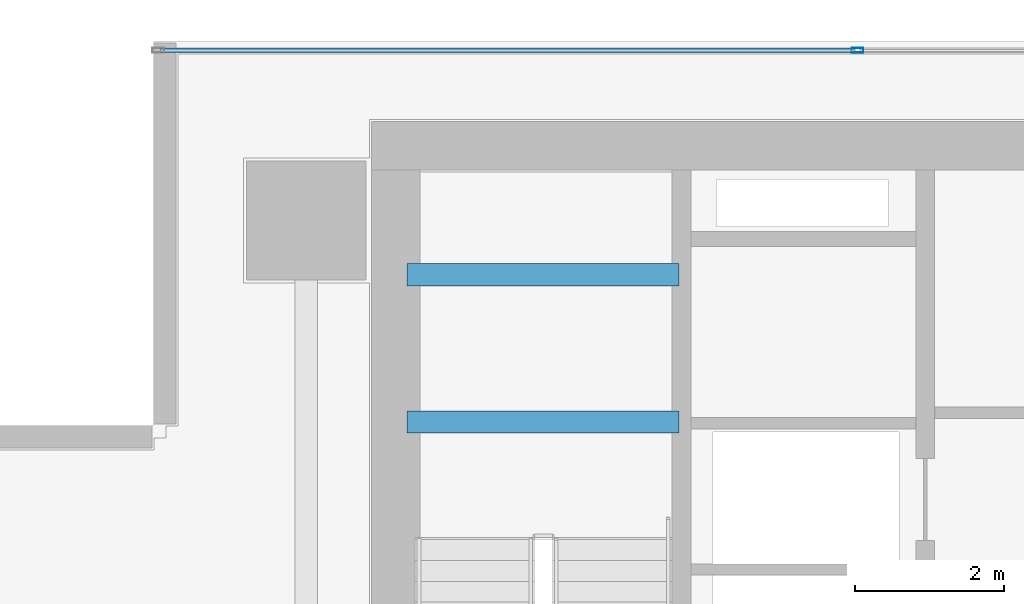
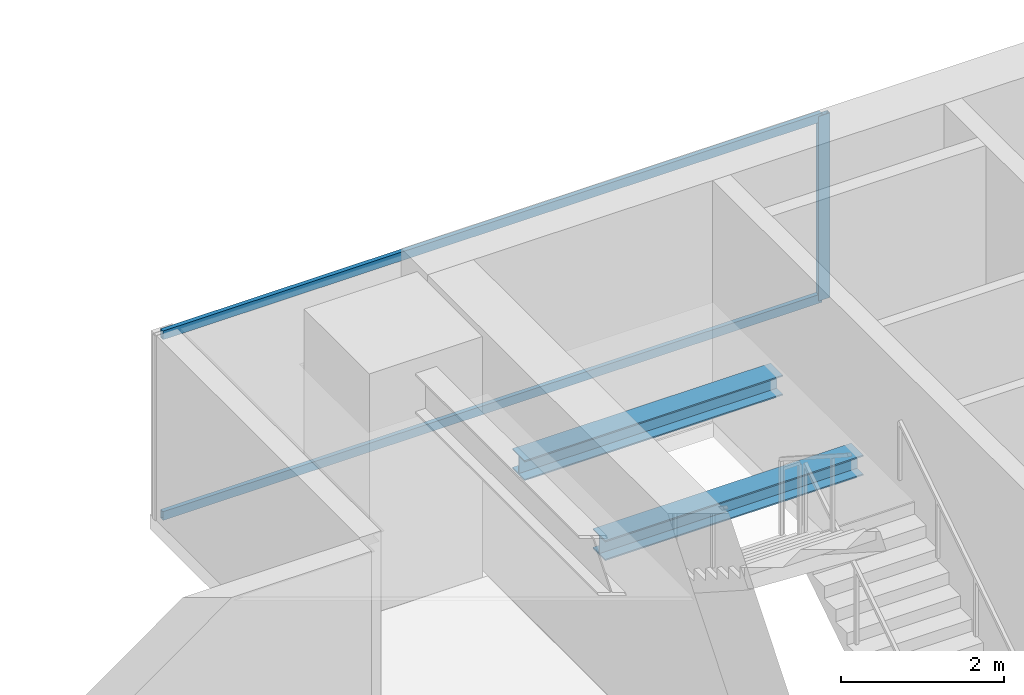
# One storey, part 15 of 28: 3 members, 2 beams, 1 element without a shape of its own.
"""IFC4 building model written with IfcOpenShell, lengths in metres."""

from ifc_helpers import new_model, si_unit, direction, frame, origin, origin_2d, place, context, subcontext, project, spatial, hollow_rectangle, i_section, extrude, source, transform, mapped, material, layer, layer_set, material_profile, profile_set, type_object, element, aggregate, save


model = new_model("IFC4")

# Units and contexts
model_context = context("Model", 3, precision=1e-05, world=origin(), true_north=direction((0.0, 1.0)))
body_context = subcontext(model_context, "Body", "Model", "MODEL_VIEW")
ifc_project = project(units=[si_unit("LENGTHUNIT", "METRE"), si_unit("AREAUNIT", "SQUARE_METRE"), si_unit("VOLUMEUNIT", "CUBIC_METRE"), si_unit("PLANEANGLEUNIT", "RADIAN"), si_unit("MASSUNIT", "GRAM", prefix="KILO")], contexts=[model_context])

# Site, building, storey
site_placement = place(None, origin())
site = spatial("IfcSite", under=ifc_project, at=site_placement, CompositionType="ELEMENT")
building_placement = place(site_placement, origin())
building = spatial("IfcBuilding", under=site, at=building_placement, Name="Sumidabori Civic Tower", CompositionType="ELEMENT")
storey_placement = place(building_placement, frame((0.0, 0.0, 149.60009765625)))
storey = spatial("IfcBuildingStorey", under=building, at=storey_placement, Name="L38", CompositionType="ELEMENT", Elevation=149.60009765625)

# Beams
ifc_material_1 = material(Name="Steel SN490", Category="steel")
ifc_material_profile_1 = material_profile(ifc_material_1, i_section(OverallWidth=0.300048828125, OverallDepth=0.300048828125, WebThickness=0.010986328125, FlangeThickness=0.01904296875, at=origin_2d()), Name="HE 300 B")
ifc_profile_set_1 = profile_set([ifc_material_profile_1], Name="Steel SN490")
beam_type = type_object("IfcBeamType", Name="BM-LDG-300", PredefinedType="BEAM", material=ifc_profile_set_1)
shared_shape_1 = source(origin(), body_context, "Body", "SweptSolid", [
    extrude(i_section(OverallWidth=0.300048828125, OverallDepth=0.300048828125, WebThickness=0.010986328125, FlangeThickness=0.01904296875, at=origin_2d()), origin(), (0.0, 0.0, 1.0), 3.64990234375),
])
for number, where, z_axis, x_axis, name in (
    (1, (-15.449951171875, 20.09765625, 1.449951171875), (1.0, 0.0, 0.0), (0.0, 1.0, 0.0), "Stair ST-1 Landing Support Beam L38-1A"),
    (2, (-15.449951171875, 22.069580078125, 1.449951171875), (1.0, 0.0, 0.0), (0.0, 1.0, 0.0), "Stair ST-1 Landing Trimmer Beam L38-1B"),
):
    element("IfcBeam", number, at=place(storey_placement, frame(where, z_axis=z_axis, x_axis=x_axis)), inside=storey, type_object=beam_type, Name=name, PredefinedType="BEAM", context=body_context, shape_type="MappedRepresentation", body=[
        mapped(shared_shape_1, transform((0.0, 0.0, 0.0), x_axis=(1.0, 0.0, 0.0), y_axis=(0.0, 1.0, 0.0), z_axis=(0.0, 0.0, 1.0), scale=1.0)),
    ])

# Curtain wall, members
ifc_material_2 = material(Name="Anodised Bronze Aluminium AW-6063-T6", Category="aluminium")
ifc_layer = layer(ifc_material_2, 0.179931640625, Name="Anodised Bronze Aluminium AW-6063-T6")
ifc_layer_set = layer_set([ifc_layer], Name="Anodised Bronze Aluminium AW-6063-T6")
curtain_wall_type = type_object("IfcCurtainWallType", Name="CW-SYS-3", PredefinedType="NOTDEFINED", material=ifc_layer_set)
curtain_wall_placement = place(storey_placement, origin())
curtain_wall = element("IfcCurtainWall", 3, at=curtain_wall_placement, inside=storey, type_object=curtain_wall_type, Name="Curtain Wall CW:L38:R07", PredefinedType="NOTDEFINED")
ifc_material_profile_2 = material_profile(ifc_material_2, hollow_rectangle(XDim=0.06494140625, YDim=0.159912109375, WallThickness=0.0048828125, at=origin_2d()), Name="ALU MULLION 160x65")
ifc_profile_set_2 = profile_set([ifc_material_profile_2], Name="Anodised Bronze Aluminium AW-6063-T6")
member_type_1 = type_object("IfcMemberType", Name="CW-MUL-160", PredefinedType="MULLION", material=ifc_profile_set_2)
shared_shape_2 = source(origin(), body_context, "Body", "SweptSolid", [
    extrude(hollow_rectangle(XDim=0.06494140625, YDim=0.159912109375, WallThickness=0.0048828125, at=origin_2d()), origin(), (0.0, 0.0, 1.0), 2.760009765625),
])
member_1_placement = place(storey_placement, frame((-9.409912109375, 25.080078125, 0.0), z_axis=(0.0, 0.0, 1.0), x_axis=(0.0, -1.0, 0.0)))
member_1 = element("IfcMember", 4, at=member_1_placement, type_object=member_type_1, Name="CW-3 mullion 4", PredefinedType="MULLION", context=body_context, shape_type="MappedRepresentation", body=[
    mapped(shared_shape_2, transform((0.0, 0.0, 0.0), x_axis=(1.0, 0.0, 0.0), y_axis=(0.0, 1.0, 0.0), z_axis=(0.0, 0.0, 1.0), scale=1.0)),
])
ifc_material_profile_3 = material_profile(ifc_material_2, hollow_rectangle(XDim=0.06005859375, YDim=0.1298828125, WallThickness=0.0048828125, at=origin_2d()), Name="ALU TRANSOM 130x60")
ifc_profile_set_3 = profile_set([ifc_material_profile_3], Name="Anodised Bronze Aluminium AW-6063-T6")
member_type_2 = type_object("IfcMemberType", Name="CW-TRN-130", PredefinedType="USERDEFINED", material=ifc_profile_set_3)
shared_shape_3 = source(origin(), body_context, "Body", "SweptSolid", [
    extrude(hollow_rectangle(XDim=0.06005859375, YDim=0.1298828125, WallThickness=0.0048828125, at=origin_2d()), origin(), (0.0, 0.0, 1.0), 9.3125),
])
member_2_placement = place(storey_placement, frame((-9.4423828125, 25.080078125, 0.02978515625), z_axis=(-1.0, 0.0, 0.0), x_axis=(0.0, -1.0, 0.0)))
member_2 = element("IfcMember", 5, at=member_2_placement, type_object=member_type_2, Name="CW-3 transom 4.1", ObjectType="TRANSOM", PredefinedType="USERDEFINED", context=body_context, shape_type="MappedRepresentation", body=[
    mapped(shared_shape_3, transform((0.0, 0.0, 0.0), x_axis=(1.0, 0.0, 0.0), y_axis=(0.0, 1.0, 0.0), z_axis=(0.0, 0.0, 1.0), scale=1.0)),
])
member_3_placement = place(storey_placement, frame((-9.4423828125, 25.080078125, 2.72998046875), z_axis=(-1.0, 0.0, 0.0), x_axis=(0.0, -1.0, 0.0)))
member_3 = element("IfcMember", 6, at=member_3_placement, type_object=member_type_2, Name="CW-3 transom 4.2", ObjectType="TRANSOM", PredefinedType="USERDEFINED", context=body_context, shape_type="MappedRepresentation", body=[
    mapped(shared_shape_3, transform((0.0, 0.0, 0.0), x_axis=(1.0, 0.0, 0.0), y_axis=(0.0, 1.0, 0.0), z_axis=(0.0, 0.0, 1.0), scale=1.0)),
])
aggregate(curtain_wall, [member_1, member_2, member_3])

save(model, "model.ifc")
